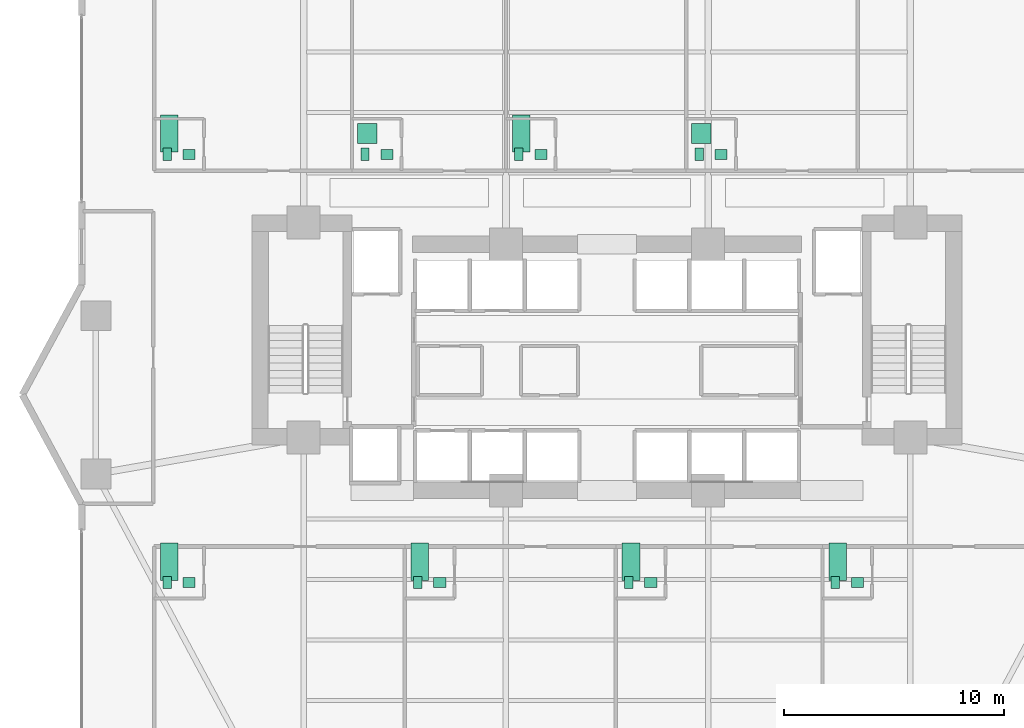
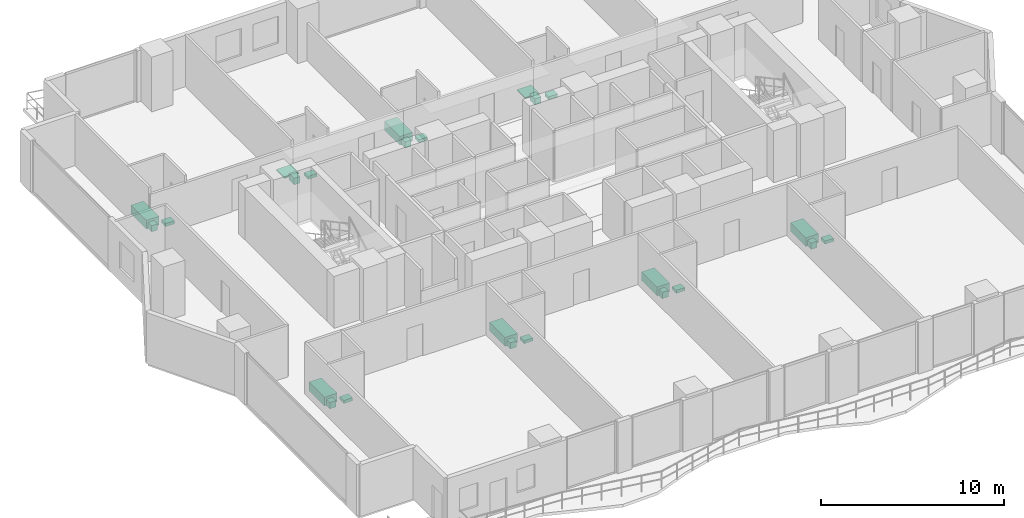
# One storey, part 27 of 27: 24 sanitary terminals.
"""IFC4 building model written with IfcOpenShell, lengths in metres."""

from ifc_helpers import new_model, si_unit, direction, frame, origin, origin_2d, place, context, subcontext, project, spatial, rectangle, extrude, material, type_object, element, save


model = new_model("IFC4")

# Units and contexts
model_context = context("Model", 3, precision=1e-05, world=origin(), true_north=direction((0.0, 1.0)))
body_context = subcontext(model_context, "Body", "Model", "MODEL_VIEW")
ifc_project = project(units=[si_unit("LENGTHUNIT", "METRE"), si_unit("AREAUNIT", "SQUARE_METRE"), si_unit("VOLUMEUNIT", "CUBIC_METRE"), si_unit("PLANEANGLEUNIT", "RADIAN"), si_unit("MASSUNIT", "GRAM", prefix="KILO")], contexts=[model_context])

# Site, building, storey
site_placement = place(None, origin())
site = spatial("IfcSite", under=ifc_project, at=site_placement, CompositionType="ELEMENT")
building_placement = place(site_placement, origin())
building = spatial("IfcBuilding", under=site, at=building_placement, Name="Zuhayl Quay Hotel", CompositionType="ELEMENT")
storey_placement = place(building_placement, frame((0.0, 0.0, 117.550048828125)))
storey = spatial("IfcBuildingStorey", under=building, at=storey_placement, Name="L29", CompositionType="ELEMENT", Elevation=117.550048828125)

# Sanitary terminals
ifc_material = material(Name="Vitreous Porcelain Sanitaryware")
sanitary_terminal_type_1 = type_object("IfcSanitaryTerminalType", Name="SAN_BASIN", PredefinedType="WASHHANDBASIN", material=ifc_material)
for number, where, z_axis, x_axis, name in (
    (1, (-19.010009765625, 17.43994140625, 0.0), (0.0, 0.0, 1.0), (1.0, 0.0, 0.0), "L29 Sanitary Fixture WASHHANDBASIN"),
    (2, (-10.010009765625, 17.43994140625, 0.0), (0.0, 0.0, 1.0), (1.0, 0.0, 0.0), "L29 Sanitary Fixture WASHHANDBASIN"),
    (3, (-3.010009765625, 17.43994140625, 0.0), (0.0, 0.0, 1.0), (1.0, 0.0, 0.0), "L29 Sanitary Fixture WASHHANDBASIN"),
    (4, (5.18994140625, 17.43994140625, 0.0), (0.0, 0.0, 1.0), (1.0, 0.0, 0.0), "L29 Sanitary Fixture WASHHANDBASIN"),
    (5, (-19.010009765625, -2.0400390625, 0.0), (0.0, 0.0, 1.0), (1.0, 0.0, 0.0), "L29 Sanitary Fixture WASHHANDBASIN"),
    (6, (-7.610107421875, -2.0400390625, 0.0), (0.0, 0.0, 1.0), (1.0, 0.0, 0.0), "L29 Sanitary Fixture WASHHANDBASIN"),
    (7, (1.989990234375, -2.0400390625, 0.0), (0.0, 0.0, 1.0), (1.0, 0.0, 0.0), "L29 Sanitary Fixture WASHHANDBASIN"),
    (8, (11.389892578125, -2.0400390625, 0.0), (0.0, 0.0, 1.0), (1.0, 0.0, 0.0), "L29 Sanitary Fixture WASHHANDBASIN"),
):
    element("IfcSanitaryTerminal", number, at=place(storey_placement, frame(where, z_axis=z_axis, x_axis=x_axis)), inside=storey, type_object=sanitary_terminal_type_1, Name=name, PredefinedType="WASHHANDBASIN", context=body_context, shape_type="SweptSolid", body=[
        extrude(rectangle(XDim=0.550048828125, YDim=0.449951171875, at=origin_2d()), origin(), (0.0, 0.0, 1.0), 0.199951171875),
    ])
sanitary_terminal_type_2 = type_object("IfcSanitaryTerminalType", Name="SAN_BATH", PredefinedType="BATH", material=ifc_material)
for number, where, z_axis, x_axis, name in (
    (9, (-19.909912109375, 18.389892578125, 0.0), (0.0, 0.0, 1.0), (1.0, 0.0, 0.0), "L29 Sanitary Fixture BATH"),
    (10, (-3.909912109375, 18.389892578125, 0.0), (0.0, 0.0, 1.0), (1.0, 0.0, 0.0), "L29 Sanitary Fixture BATH"),
    (11, (-19.909912109375, -1.090087890625, 0.0), (0.0, 0.0, 1.0), (1.0, 0.0, 0.0), "L29 Sanitary Fixture BATH"),
    (12, (-8.510009765625, -1.090087890625, 0.0), (0.0, 0.0, 1.0), (1.0, 0.0, 0.0), "L29 Sanitary Fixture BATH"),
    (13, (1.090087890625, -1.090087890625, 0.0), (0.0, 0.0, 1.0), (1.0, 0.0, 0.0), "L29 Sanitary Fixture BATH"),
    (14, (10.489990234375, -1.090087890625, 0.0), (0.0, 0.0, 1.0), (1.0, 0.0, 0.0), "L29 Sanitary Fixture BATH"),
):
    element("IfcSanitaryTerminal", number, at=place(storey_placement, frame(where, z_axis=z_axis, x_axis=x_axis)), inside=storey, type_object=sanitary_terminal_type_2, Name=name, PredefinedType="BATH", context=body_context, shape_type="SweptSolid", body=[
        extrude(rectangle(XDim=0.800048828125, YDim=1.699951171875, at=origin_2d()), origin(), (0.0, 0.0, 1.0), 0.580078125),
    ])
sanitary_terminal_type_3 = type_object("IfcSanitaryTerminalType", Name="SAN_SHOWER", PredefinedType="SHOWER", material=ifc_material)
for number, where, z_axis, x_axis, name in (
    (15, (-10.909912109375, 18.389892578125, 0.0), (0.0, 0.0, 1.0), (1.0, 0.0, 0.0), "L29 Sanitary Fixture SHOWER"),
    (16, (4.2900390625, 18.389892578125, 0.0), (0.0, 0.0, 1.0), (1.0, 0.0, 0.0), "L29 Sanitary Fixture SHOWER"),
):
    element("IfcSanitaryTerminal", number, at=place(storey_placement, frame(where, z_axis=z_axis, x_axis=x_axis)), inside=storey, type_object=sanitary_terminal_type_3, Name=name, PredefinedType="SHOWER", context=body_context, shape_type="SweptSolid", body=[
        extrude(rectangle(XDim=0.89990234375, YDim=0.89990234375, at=origin_2d()), origin(), (0.0, 0.0, 1.0), 0.080078125),
    ])
sanitary_terminal_type_4 = type_object("IfcSanitaryTerminalType", Name="SAN_WC", PredefinedType="TOILETPAN", material=ifc_material)
for number, where, z_axis, x_axis, name in (
    (17, (-20.010009765625, 17.43994140625, 0.0), (0.0, 0.0, 1.0), (1.0, 0.0, 0.0), "L29 Sanitary Fixture TOILETPAN"),
    (18, (-11.010009765625, 17.43994140625, 0.0), (0.0, 0.0, 1.0), (1.0, 0.0, 0.0), "L29 Sanitary Fixture TOILETPAN"),
    (19, (-4.010009765625, 17.43994140625, 0.0), (0.0, 0.0, 1.0), (1.0, 0.0, 0.0), "L29 Sanitary Fixture TOILETPAN"),
    (20, (4.18994140625, 17.43994140625, 0.0), (0.0, 0.0, 1.0), (1.0, 0.0, 0.0), "L29 Sanitary Fixture TOILETPAN"),
    (21, (-20.010009765625, -2.0400390625, 0.0), (0.0, 0.0, 1.0), (1.0, 0.0, 0.0), "L29 Sanitary Fixture TOILETPAN"),
    (22, (-8.610107421875, -2.0400390625, 0.0), (0.0, 0.0, 1.0), (1.0, 0.0, 0.0), "L29 Sanitary Fixture TOILETPAN"),
    (23, (0.989990234375, -2.0400390625, 0.0), (0.0, 0.0, 1.0), (1.0, 0.0, 0.0), "L29 Sanitary Fixture TOILETPAN"),
    (24, (10.389892578125, -2.0400390625, 0.0), (0.0, 0.0, 1.0), (1.0, 0.0, 0.0), "L29 Sanitary Fixture TOILETPAN"),
):
    element("IfcSanitaryTerminal", number, at=place(storey_placement, frame(where, z_axis=z_axis, x_axis=x_axis)), inside=storey, type_object=sanitary_terminal_type_4, Name=name, PredefinedType="TOILETPAN", context=body_context, shape_type="SweptSolid", body=[
        extrude(rectangle(XDim=0.3798828125, YDim=0.56005859375, at=origin_2d()), origin(), (0.0, 0.0, 1.0), 0.419921875),
    ])

save(model, "model.ifc")
